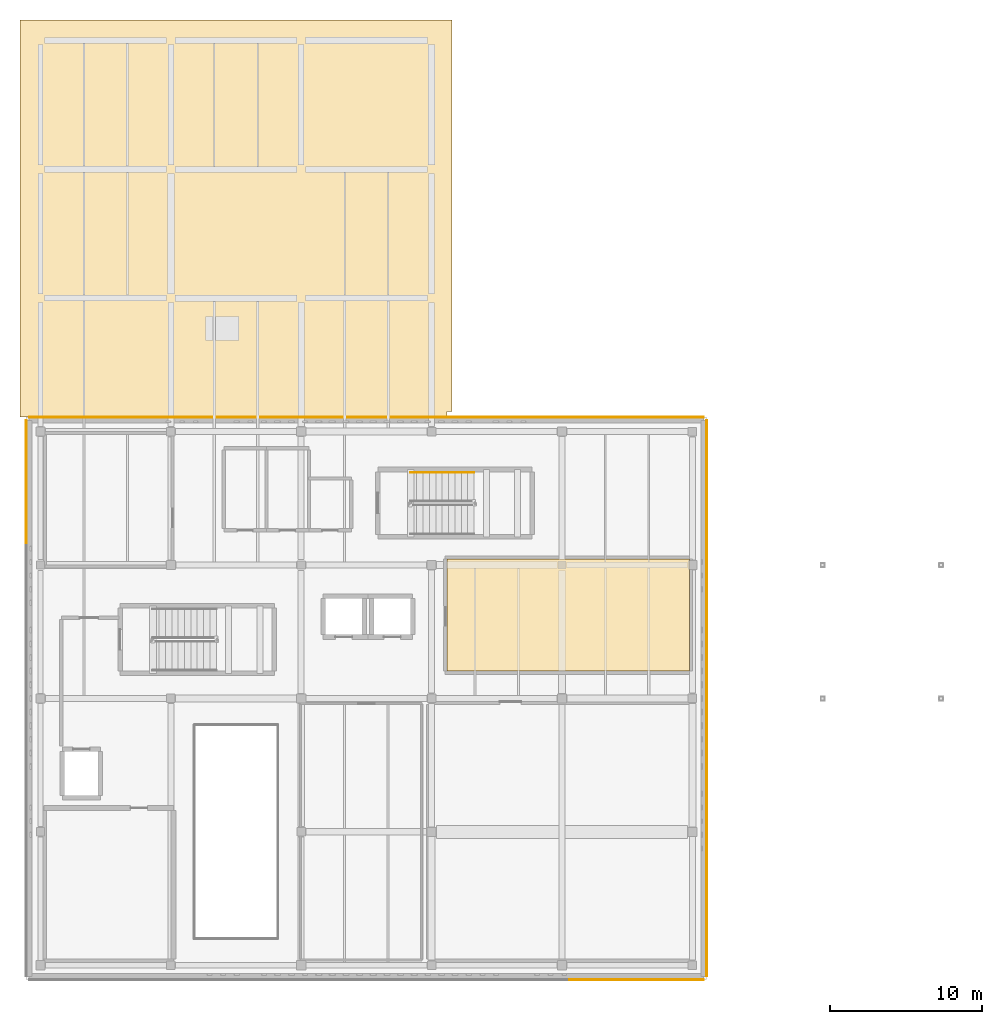
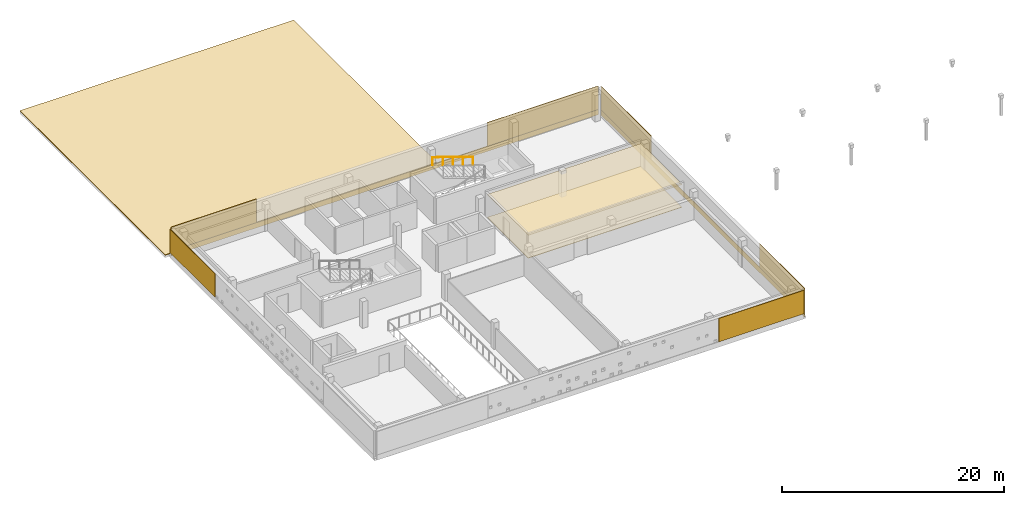
# One storey, part 17 of 17: 11 coverings, 1 railing.
"""IFC4 building model written with IfcOpenShell, lengths in metres."""

from ifc_helpers import new_model, si_unit, direction, frame, origin, origin_2d, place, context, subcontext, project, spatial, polyline, rectangle, circle, outline, extrude, material, layer, layer_set, type_object, element, save


model = new_model("IFC4")

# Units and contexts
model_context = context("Model", 3, precision=1e-05, world=origin(), true_north=direction((0.0, 1.0)))
body_context = subcontext(model_context, "Body", "Model", "MODEL_VIEW")
ifc_project = project(units=[si_unit("LENGTHUNIT", "METRE"), si_unit("AREAUNIT", "SQUARE_METRE"), si_unit("VOLUMEUNIT", "CUBIC_METRE"), si_unit("PLANEANGLEUNIT", "RADIAN"), si_unit("MASSUNIT", "GRAM", prefix="KILO")], contexts=[model_context])

# Site, building, storey
site_placement = place(None, origin())
site = spatial("IfcSite", under=ifc_project, at=site_placement, CompositionType="ELEMENT")
building_placement = place(site_placement, origin())
building = spatial("IfcBuilding", under=site, at=building_placement, Name="Varnakota Cinema and Media Centre", CompositionType="ELEMENT")
storey_placement = place(building_placement, frame((0.0, 0.0, 22.35009765625)))
storey = spatial("IfcBuildingStorey", under=building, at=storey_placement, Name="L06", CompositionType="ELEMENT", Elevation=22.35009765625)

# Coverings
ifc_material_1 = material(Name="Autoclaved aerated concrete blockwork", Category="masonry")
ifc_layer_1 = layer(ifc_material_1, 0.06005859375)
ifc_layer_set_1 = layer_set([ifc_layer_1], Name="Autoclaved aerated concrete blockwork")
covering_type_1 = type_object("IfcCoveringType", Name="COV-ACOUST-CEIL-60", PredefinedType="CEILING", material=ifc_layer_set_1)
covering_1_placement = place(storey_placement, frame((0.0, 0.0, 2.5)))
element("IfcCovering", 1, at=covering_1_placement, inside=storey, type_object=covering_type_1, Name="L06 Audio Mastering and Editing Studio acoustic baffle ceiling", PredefinedType="CEILING", context=body_context, shape_type="SweptSolid", body=[
    extrude(outline(polyline([(26.800048828125, 19.39990234375), (42.800048828125, 19.39990234375), (42.800048828125, 26.800048828125), (26.800048828125, 26.800048828125), (26.800048828125, 19.39990234375)])), origin(), (0.0, 0.0, 1.0), 0.059814453125),
])
ifc_material_2 = material(Name="Pale Tandur limestone cool roof", Category="masonry")
ifc_layer_2 = layer(ifc_material_2, 0.080078125)
ifc_layer_set_2 = layer_set([ifc_layer_2], Name="Pale Tandur limestone cool roof")
covering_type_2 = type_object("IfcCoveringType", Name="COV-COOLROOF-80", PredefinedType="ROOFING", material=ifc_layer_set_2)
covering_2_placement = place(storey_placement, origin())
element("IfcCovering", 2, at=covering_2_placement, inside=storey, type_object=covering_type_2, Name="L06 cool roof membrane ROOF-V5-TOP", PredefinedType="ROOFING", context=body_context, shape_type="SweptSolid", body=[
    extrude(outline(polyline([(-1.35009765625, 36.169921875), (26.800048828125, 36.169921875), (26.800048828125, 36.52001953125), (27.14990234375, 36.52001953125), (27.14990234375, 62.35009765625), (-1.35009765625, 62.35009765625), (-1.35009765625, 36.169921875)])), origin(), (0.0, 0.0, 1.0), 0.079833984375),
])
ifc_material_3 = material(Name="Deccan grey granite ashlar", Category="masonry")
ifc_layer_3 = layer(ifc_material_3, 0.044921875)
ifc_layer_set_3 = layer_set([ifc_layer_3], Name="Deccan grey granite ashlar")
covering_type_3 = type_object("IfcCoveringType", Name="COV-STUDIO-FLR-45", PredefinedType="FLOORING", material=ifc_layer_set_3)
covering_3_placement = place(storey_placement, origin())
element("IfcCovering", 3, at=covering_3_placement, inside=storey, type_object=covering_type_3, Name="L06 Audio Mastering and Editing Studio isolated studio floor finish", PredefinedType="FLOORING", context=body_context, shape_type="SweptSolid", body=[
    extrude(outline(polyline([(26.800048828125, 19.39990234375), (42.800048828125, 19.39990234375), (42.800048828125, 26.800048828125), (26.800048828125, 26.800048828125), (26.800048828125, 19.39990234375)])), origin(), (0.0, 0.0, 1.0), 0.044921875),
])
ifc_material_4 = material(Name="Pale Tandur limestone cladding", Category="masonry")
ifc_layer_4 = layer(ifc_material_4, 0.06005859375)
ifc_layer_set_4 = layer_set([ifc_layer_4], Name="Pale Tandur limestone cladding")
covering_type_4 = type_object("IfcCoveringType", Name="COV-TANDUR-ASHLAR-60", PredefinedType="CLADDING", material=ifc_layer_set_4)
covering_4_placement = place(storey_placement, frame((39.304931640625, -0.945068359375, 0.329833984375), z_axis=(0.0, 0.0, 1.0), x_axis=(-1.0, 0.0, 0.0)))
element("IfcCovering", 4, at=covering_4_placement, inside=storey, type_object=covering_type_4, Name="L06 V4 pale Tandur stone left corner ashlar V4-S", PredefinedType="CLADDING", context=body_context, shape_type="SweptSolid", body=[
    extrude(rectangle(XDim=8.8701171875, YDim=0.06005859375, at=origin_2d()), origin(), (0.0, 0.0, 1.0), 2.580078125),
])
covering_5_placement = place(storey_placement, frame((-0.945068359375, 31.8798828125, 0.329833984375), z_axis=(0.0, 0.0, 1.0), x_axis=(0.0, 1.0, 0.0)))
element("IfcCovering", 5, at=covering_5_placement, inside=storey, type_object=covering_type_4, Name="L06 V4 pale Tandur stone right corner ashlar V4-W", PredefinedType="CLADDING", context=body_context, shape_type="SweptSolid", body=[
    extrude(rectangle(XDim=8.1201171875, YDim=0.06005859375, at=origin_2d()), origin(), (0.0, 0.0, 1.0), 2.580078125),
])
covering_6_placement = place(storey_placement, frame((21.5, 36.14501953125, -0.240234375), z_axis=(0.0, 0.0, 1.0), x_axis=(1.0, 0.0, 0.0)))
element("IfcCovering", 6, at=covering_6_placement, inside=storey, type_object=covering_type_4, Name="L06 V4 pale Tandur stone spandrel ashlar V4-N", PredefinedType="CLADDING", context=body_context, shape_type="SweptSolid", body=[
    extrude(rectangle(XDim=44.47998046875, YDim=0.06005859375, at=origin_2d()), origin(), (0.0, 0.0, 1.0), 0.570068359375),
])
covering_7_placement = place(storey_placement, frame((3.695068359375, 36.14501953125, 0.329833984375), z_axis=(0.0, 0.0, 1.0), x_axis=(1.0, 0.0, 0.0)))
element("IfcCovering", 7, at=covering_7_placement, inside=storey, type_object=covering_type_4, Name="L06 V4 pale Tandur stone left corner ashlar V4-N", PredefinedType="CLADDING", context=body_context, shape_type="SweptSolid", body=[
    extrude(rectangle(XDim=8.8701171875, YDim=0.06005859375, at=origin_2d()), origin(), (0.0, 0.0, 1.0), 2.580078125),
])
covering_8_placement = place(storey_placement, frame((37.955078125, 36.14501953125, 0.329833984375), z_axis=(0.0, 0.0, 1.0), x_axis=(1.0, 0.0, 0.0)))
element("IfcCovering", 8, at=covering_8_placement, inside=storey, type_object=covering_type_4, Name="L06 V4 pale Tandur stone right corner ashlar V4-N", PredefinedType="CLADDING", context=body_context, shape_type="SweptSolid", body=[
    extrude(rectangle(XDim=11.570068359375, YDim=0.06005859375, at=origin_2d()), origin(), (0.0, 0.0, 1.0), 2.580078125),
])
covering_9_placement = place(storey_placement, frame((43.945068359375, 17.60009765625, -0.240234375), z_axis=(0.0, 0.0, 1.0), x_axis=(0.0, -1.0, 0.0)))
element("IfcCovering", 9, at=covering_9_placement, inside=storey, type_object=covering_type_4, Name="L06 V4 pale Tandur stone spandrel ashlar V4-E", PredefinedType="CLADDING", context=body_context, shape_type="SweptSolid", body=[
    extrude(rectangle(XDim=36.679931640625, YDim=0.06005859375, at=origin_2d()), origin(), (0.0, 0.0, 1.0), 0.570068359375),
])
covering_10_placement = place(storey_placement, frame((43.945068359375, 31.429931640625, 0.329833984375), z_axis=(0.0, 0.0, 1.0), x_axis=(0.0, -1.0, 0.0)))
element("IfcCovering", 10, at=covering_10_placement, inside=storey, type_object=covering_type_4, Name="L06 V4 pale Tandur stone left corner ashlar V4-E", PredefinedType="CLADDING", context=body_context, shape_type="SweptSolid", body=[
    extrude(rectangle(XDim=9.02001953125, YDim=0.06005859375, at=origin_2d()), origin(), (0.0, 0.0, 1.0), 2.580078125),
])
covering_11_placement = place(storey_placement, frame((43.945068359375, 3.320068359375, 0.329833984375), z_axis=(0.0, 0.0, 1.0), x_axis=(0.0, -1.0, 0.0)))
element("IfcCovering", 11, at=covering_11_placement, inside=storey, type_object=covering_type_4, Name="L06 V4 pale Tandur stone right corner ashlar V4-E", PredefinedType="CLADDING", context=body_context, shape_type="SweptSolid", body=[
    extrude(rectangle(XDim=8.1201171875, YDim=0.06005859375, at=origin_2d()), origin(), (0.0, 0.0, 1.0), 2.580078125),
])

# Railing
ifc_material_5 = material(Name="Structural steel Grade 350 (E350)", Category="steel")
ifc_layer_5 = layer(ifc_material_5, 0.048095703125)
ifc_layer_set_5 = layer_set([ifc_layer_5], Name="Structural steel Grade 350 (E350)")
railing_type = type_object("IfcRailingType", Name="RAIL-STAIR-HAND-900", PredefinedType="HANDRAIL", material=ifc_layer_set_5)
railing_placement = place(storey_placement, frame((28.60009765625, 32.5, 1.718017578125)))
element("IfcRailing", 12, at=railing_placement, inside=storey, type_object=railing_type, Name="L06 ST-02 stair handrail 2", PredefinedType="HANDRAIL", context=body_context, shape_type="SweptSolid", body=[
    extrude(circle(Radius=0.02392578125, at=origin_2d()), frame((0.0, 0.0, 0.8759765625), z_axis=(-0.946510188179, 0.0, 0.322673927788), x_axis=(0.0, -1.0, 0.0)), (0.0, 0.0, 1.0), 4.4375),
    extrude(circle(Radius=0.02099609375, at=origin_2d()), origin(), (0.0, 0.0, 1.0), 0.851806640625),
    extrude(circle(Radius=0.02099609375, at=origin_2d()), frame((-1.050048828125, 0.0, 0.35791015625)), (0.0, 0.0, 1.0), 0.851806640625),
    extrude(circle(Radius=0.02099609375, at=origin_2d()), frame((-2.10009765625, 0.0, 0.7158203125)), (0.0, 0.0, 1.0), 0.851806640625),
    extrude(circle(Radius=0.02099609375, at=origin_2d()), frame((-3.150146484375, 0.0, 1.073974609375)), (0.0, 0.0, 1.0), 0.851806640625),
    extrude(circle(Radius=0.02099609375, at=origin_2d()), frame((-4.2001953125, 0.0, 1.431884765625)), (0.0, 0.0, 1.0), 0.851806640625),
])

save(model, "model.ifc")
